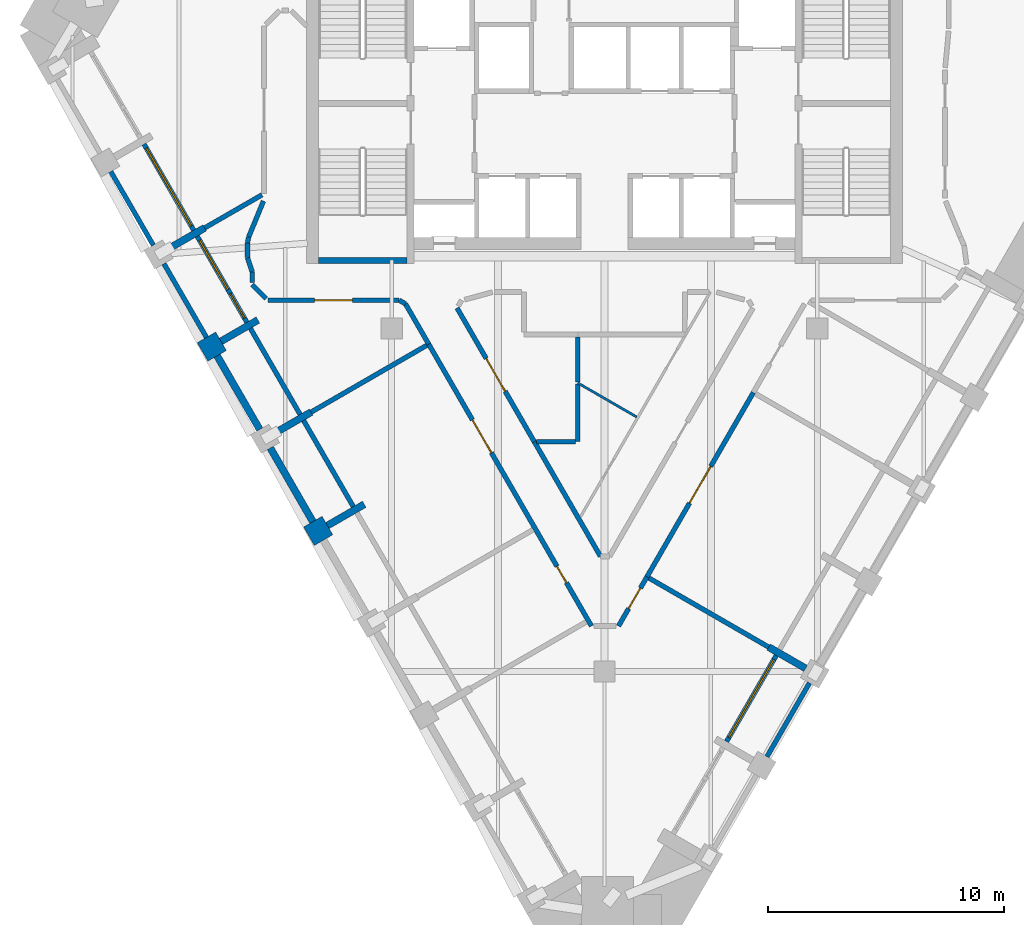
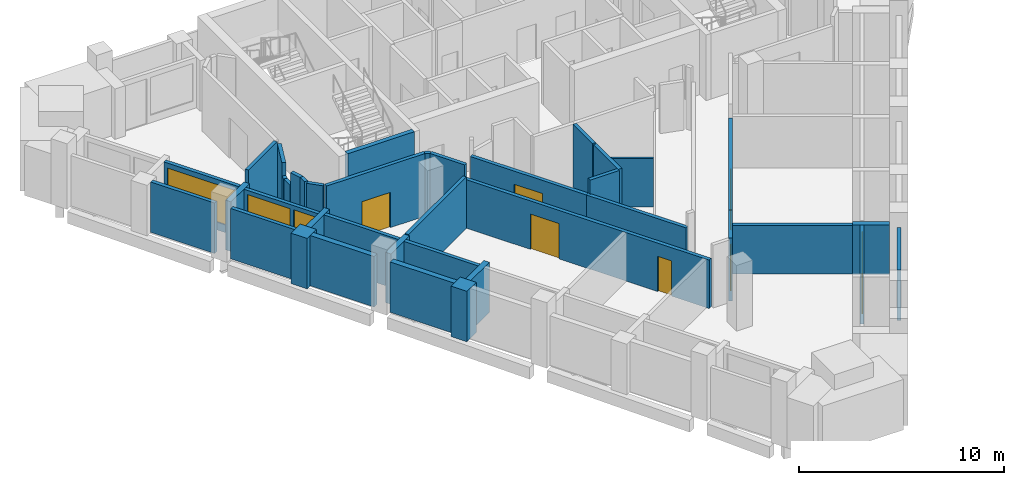
# One storey, part 3 of 8: 39 walls, 7 doors, 3 windows, 10 openings.
"""IFC4 building model written with IfcOpenShell, lengths in metres."""

from ifc_helpers import new_model, si_unit, direction, frame, frame_2d, origin, place, context, subcontext, project, spatial, rectangle, extrude, material, layer, layer_set, type_object, element, fill, save


model = new_model("IFC4")

# Units and contexts
model_context = context("Model", 3, precision=1e-05, world=origin(), true_north=direction((0.0, 1.0)))
body_context = subcontext(model_context, "Body", "Model", "MODEL_VIEW")
ifc_project = project(units=[si_unit("LENGTHUNIT", "METRE"), si_unit("AREAUNIT", "SQUARE_METRE"), si_unit("VOLUMEUNIT", "CUBIC_METRE"), si_unit("PLANEANGLEUNIT", "RADIAN"), si_unit("MASSUNIT", "GRAM", prefix="KILO")], contexts=[model_context])

# Site, building, storey
site_placement = place(None, origin())
site = spatial("IfcSite", under=ifc_project, at=site_placement, CompositionType="ELEMENT")
building_placement = place(site_placement, origin())
building = spatial("IfcBuilding", under=site, at=building_placement, Name="Calabash Gate Tower", CompositionType="ELEMENT")
storey_placement = place(building_placement, frame((0.0, 0.0, 267.699951171875)))
storey = spatial("IfcBuildingStorey", under=building, at=storey_placement, Name="L64", CompositionType="ELEMENT", Elevation=267.699951171875)

# Walls
ifc_material_1 = material(Name="Terracotta brick masonry, exposed face", Category="masonry")
ifc_layer_1 = layer(ifc_material_1, 0.89990234375)
ifc_layer_set_1 = layer_set([ifc_layer_1], Name="Brick end wall 900")
wall_type_1 = type_object("IfcWallType", Name="Brick end wall 900", PredefinedType="SOLIDWALL", material=ifc_layer_set_1)
for number, where, z_axis, x_axis, name in (
    (1, (-16.83447265625, 2.126953125, 0.0), (0.0, 0.0, 1.0), (0.499902469156, -0.866081705922, 0.0), "Brick pier S18 SW0.3"),
    (2, (-12.499267578125, -6.281982421875, 0.0), (0.0, 0.0, 1.0), (0.866081705922, 0.499902469156, 0.0), "Brick pier S18 SW0.5"),
):
    element("IfcWall", number, at=place(storey_placement, frame(where, z_axis=z_axis, x_axis=x_axis)), inside=storey, type_object=wall_type_1, Name=name, PredefinedType="SOLIDWALL", context=body_context, shape_type="SweptSolid", body=[
        extrude(rectangle(XDim=0.900146484375, YDim=0.89990234375, at=frame_2d((0.4501953125, 0.0))), origin(), (0.0, 0.0, 1.0), 3.0),
    ])
ifc_material_2 = material(Name="Terracotta brick masonry, exposed face", Category="masonry")
ifc_layer_2 = layer(ifc_material_2, 0.300048828125)
ifc_layer_set_2 = layer_set([ifc_layer_2], Name="Brick infill panel wall 300")
wall_type_2 = type_object("IfcWallType", Name="Brick infill panel wall 300", PredefinedType="SOLIDWALL", material=ifc_layer_set_2)
for number, where, z_axis, x_axis, name in (
    (3, (-16.384521484375, 1.347412109375, 0.0), (0.0, 0.0, 1.0), (0.500012057535, -0.866018442252, 0.0), "Brick panel S18 SW0.4"),
    (4, (-14.134521484375, -2.549560546875, 0.0), (0.0, 0.0, 1.0), (0.500012057535, -0.866018442252, 0.0), "Brick panel S18 SW0.5"),
):
    element("IfcWall", number, at=place(storey_placement, frame(where, z_axis=z_axis, x_axis=x_axis)), inside=storey, type_object=wall_type_2, Name=name, PredefinedType="SOLIDWALL", context=body_context, shape_type="SweptSolid", body=[
        extrude(rectangle(XDim=3.60009765625, YDim=0.300048828125, at=frame_2d((1.800048828125, 0.0))), origin(), (0.0, 0.0, 1.0), 3.0),
    ])
ifc_material_3 = material(Name="Terracotta brick masonry, exposed face", Category="masonry")
ifc_layer_3 = layer(ifc_material_3, 0.300048828125)
ifc_layer_set_3 = layer_set([ifc_layer_3], Name="Brick loggia cheek wall 300")
wall_type_3 = type_object("IfcWallType", Name="Brick loggia cheek wall 300", PredefinedType="SOLIDWALL", material=ifc_layer_set_3)
wall_1_placement = place(storey_placement, frame((-16.910888671875, 6.75927734375, 0.0), z_axis=(0.0, 0.0, 1.0), x_axis=(-0.866047807691, -0.499961193289, 0.0)))
element("IfcWall", 5, at=wall_1_placement, inside=storey, type_object=wall_type_3, Name="Loggia cheek S18 SW0.2", PredefinedType="SOLIDWALL", context=body_context, shape_type="SweptSolid", body=[
    extrude(rectangle(XDim=1.800048828125, YDim=0.300048828125, at=frame_2d((0.89990234375, 0.0))), origin(), (0.0, 0.0, 1.0), 2.9501953125),
])
for number, where, z_axis, x_axis, name in (
    (6, (-16.2197265625, 1.962158203125, 0.0), (0.0, 0.0, 1.0), (0.865989075817, 0.500062916607, 0.0), "Loggia cheek S18 SW0.3"),
    (7, (-12.410888671875, -1.034912109375, 0.0), (0.0, 0.0, 1.0), (-0.866047807691, -0.499961193289, 0.0), "Loggia cheek S18 SW0.4"),
    (8, (-11.7197265625, -5.83203125, 0.0), (0.0, 0.0, 1.0), (0.865989075817, 0.500062916607, 0.0), "Loggia cheek S18 SW0.5"),
):
    element("IfcWall", number, at=place(storey_placement, frame(where, z_axis=z_axis, x_axis=x_axis)), inside=storey, type_object=wall_type_3, Name=name, PredefinedType="SOLIDWALL", context=body_context, shape_type="SweptSolid", body=[
        extrude(rectangle(XDim=1.800048828125, YDim=0.300048828125, at=frame_2d((0.89990234375, 0.0))), origin(), (0.0, 0.0, 1.0), 3.0),
    ])
wall_2_placement = place(storey_placement, frame((6.947998046875, -10.973388671875, 0.0), z_axis=(0.0, 0.0, 1.0), x_axis=(0.866038726271, -0.499976924066, 0.0)))
element("IfcWall", 9, at=wall_2_placement, inside=storey, type_object=wall_type_3, Name="Loggia cheek S18 SE2.2", PredefinedType="SOLIDWALL", context=body_context, shape_type="SweptSolid", body=[
    extrude(rectangle(XDim=1.79931640625, YDim=0.300048828125, at=frame_2d((0.899658203125, 0.0))), origin(), (0.0, 0.0, 1.0), 2.9501953125),
])
ifc_material_4 = material(Name="Concrete C60/75", Category="concrete")
ifc_layer_4 = layer(ifc_material_4, 0.25)
ifc_layer_set_4 = layer_set([ifc_layer_4], Name="Core wall 250 Concrete C60/75")
wall_type_4 = type_object("IfcWallType", Name="Core wall 250 Concrete C60/75", PredefinedType="SHEAR", material=ifc_layer_set_4)
wall_3_placement = place(storey_placement, frame((-12.10009765625, 5.377685546875, 0.0), z_axis=(0.0, 0.0, 1.0), x_axis=(1.0, 0.0, 0.0)))
element("IfcWall", 10, at=wall_3_placement, inside=storey, type_object=wall_type_4, Name="Core wall Z5-SSW L64", PredefinedType="SHEAR", context=body_context, shape_type="SweptSolid", body=[
    extrude(rectangle(XDim=3.75, YDim=0.25, at=frame_2d((1.875, 0.0))), origin(), (0.0, 0.0, 1.0), 3.900146484375),
])
ifc_material_5 = material(Name="Gypsum board on steel studs, mineral wool", Category="steel")
ifc_layer_5 = layer(ifc_material_5, 0.10009765625)
ifc_layer_set_5 = layer_set([ifc_layer_5], Name="Partition 100 gypsum board")
wall_type_5 = type_object("IfcWallType", Name="Partition 100 gypsum board", PredefinedType="PARTITIONING", material=ifc_layer_set_5)
wall_4_placement = place(storey_placement, frame((-1.127685546875, 0.2001953125, 0.0), z_axis=(0.0, 0.0, 1.0), x_axis=(0.866037287897, -0.499979415547, 0.0)))
element("IfcWall", 11, at=wall_4_placement, inside=storey, type_object=wall_type_5, Name="Partition", PredefinedType="PARTITIONING", context=body_context, shape_type="SweptSolid", body=[
    extrude(rectangle(XDim=2.87841796875, YDim=0.10009765625, at=frame_2d((1.439208984375, 0.0))), origin(), (0.0, 0.0, 1.0), 2.884033203125),
])

# Wall, openings, doors
ifc_material_6 = material(Name="Gypsum board on steel studs, mineral wool", Category="steel")
ifc_layer_6 = layer(ifc_material_6, 0.199951171875)
ifc_layer_set_6 = layer_set([ifc_layer_6], Name="Partition 200 gypsum board EI 60")
wall_type_6 = type_object("IfcWallType", Name="Partition 200 gypsum board EI 60", PredefinedType="PARTITIONING", material=ifc_layer_set_6)
wall_5_placement = place(storey_placement, frame((-7.43310546875, 1.839111328125, 0.0), z_axis=(0.0, 0.0, 1.0), x_axis=(0.500005992518, -0.866021943975, 0.0)))
wall_5 = element("IfcWall", 12, at=wall_5_placement, inside=storey, type_object=wall_type_6, Name="Partition", PredefinedType="PARTITIONING", context=body_context, shape_type="SweptSolid", body=[
    extrude(rectangle(XDim=13.763916015625, YDim=0.199951171875, at=frame_2d((6.8818359375, 0.0))), origin(), (0.0, 0.0, 1.0), 2.884033203125),
])
opening_1_placement = place(wall_5_placement, frame((3.699951171875, 0.0, 0.0)))
opening_1 = element("IfcOpeningElement", 13, at=opening_1_placement, cuts=wall_5, Name="Opening 62-64-001", PredefinedType="OPENING", context=body_context, shape_type="SweptSolid", body=[
    extrude(rectangle(XDim=1.60009765625, YDim=2.10009765625, at=frame_2d((0.800048828125, 1.050048828125))), frame((0.0, 0.10986328125, 0.0), z_axis=(0.0, -1.0, 0.0), x_axis=(1.0, 0.0, 0.0)), (0.0, 0.0, 1.0), 0.219970703125),
])
opening_2_placement = place(wall_5_placement, frame((10.85009765625, 0.0, 0.0)))
opening_2 = element("IfcOpeningElement", 14, at=opening_2_placement, cuts=wall_5, Name="Opening 62-64-002", PredefinedType="OPENING", context=body_context, shape_type="SweptSolid", body=[
    extrude(rectangle(XDim=0.800048828125, YDim=2.10009765625, at=frame_2d((0.39990234375, 1.050048828125))), frame((0.0, 0.10986328125, 0.0), z_axis=(0.0, -1.0, 0.0), x_axis=(1.0, 0.0, 0.0)), (0.0, 0.0, 1.0), 0.219970703125),
])
ifc_material_7 = material(Name="Steel fire door set with fire-resisting glazing", Category="steel")
door_type_1 = type_object("IfcDoorType", Name="LD1 Lounge double door 1600x2100", OperationType="NOTDEFINED", PredefinedType="DOOR", material=ifc_material_7)
door_1_placement = place(opening_1_placement, origin())
door_1 = element("IfcDoor", 15, at=door_1_placement, inside=storey, type_object=door_type_1, Name="Lounge double door", OperationType="DOUBLE_DOOR_SINGLE_SWING", OverallHeight=2.10009765625, OverallWidth=1.60009765625, PredefinedType="DOOR", context=body_context, shape_type="SweptSolid", body=[
    extrude(rectangle(XDim=1.60009765625, YDim=2.10009765625, at=frame_2d((0.800048828125, 1.050048828125))), frame((0.0, 0.02490234375, 0.0), z_axis=(0.0, -1.0, 0.0), x_axis=(1.0, 0.0, 0.0)), (0.0, 0.0, 1.0), 0.050048828125),
])
fill(opening_1, door_1)
ifc_material_8 = material(Name="Painted timber door", Category="wood")
door_type_2 = type_object("IfcDoorType", Name="OD4 Phone booth door 800x2100", OperationType="NOTDEFINED", PredefinedType="DOOR", material=ifc_material_8)
door_2_placement = place(opening_2_placement, origin())
door_2 = element("IfcDoor", 16, at=door_2_placement, inside=storey, type_object=door_type_2, Name="Phone booth door", OperationType="SINGLE_SWING_LEFT", OverallHeight=2.10009765625, OverallWidth=0.800048828125, PredefinedType="DOOR", context=body_context, shape_type="SweptSolid", body=[
    extrude(rectangle(XDim=0.800048828125, YDim=2.10009765625, at=frame_2d((0.39990234375, 1.050048828125))), frame((0.0, 0.02490234375, 0.0), z_axis=(0.0, -1.0, 0.0), x_axis=(1.0, 0.0, 0.0)), (0.0, 0.0, 1.0), 0.050048828125),
])
fill(opening_2, door_2)

# Wall, opening, door
wall_6_placement = place(storey_placement, frame((0.593994140625, -10.07958984375, 0.0), z_axis=(0.0, 0.0, 1.0), x_axis=(0.500575540498, 0.865692860231, 0.0)))
wall_6 = element("IfcWall", 17, at=wall_6_placement, inside=storey, type_object=wall_type_6, Name="Partition", PredefinedType="PARTITIONING", context=body_context, shape_type="SweptSolid", body=[
    extrude(rectangle(XDim=2.402587890625, YDim=0.199951171875, at=frame_2d((1.201171875, 0.0))), origin(), (0.0, 0.0, 1.0), 3.72998046875),
])
opening_3_placement = place(wall_6_placement, frame((0.8544921875, 0.0, 0.0)))
opening_3 = element("IfcOpeningElement", 18, at=opening_3_placement, cuts=wall_6, Name="Opening 62-64-011", PredefinedType="OPENING", context=body_context, shape_type="SweptSolid", body=[
    extrude(rectangle(XDim=1.0, YDim=2.10009765625, at=frame_2d((0.5, 1.050048828125))), frame((0.0, 0.10986328125, 0.0), z_axis=(0.0, -1.0, 0.0), x_axis=(1.0, 0.0, 0.0)), (0.0, 0.0, 1.0), 0.219970703125),
])
ifc_material_9 = material(Name="Steel fire door set with fire-resisting glazing", Category="steel")
door_type_3 = type_object("IfcDoorType", Name="LD2 Meeting room door 1000x2100", OperationType="NOTDEFINED", PredefinedType="DOOR", material=ifc_material_9)
door_3_placement = place(opening_3_placement, origin())
door_3 = element("IfcDoor", 19, at=door_3_placement, inside=storey, type_object=door_type_3, Name="Meeting room door", OperationType="SINGLE_SWING_RIGHT", OverallHeight=2.10009765625, OverallWidth=1.0, PredefinedType="DOOR", context=body_context, shape_type="SweptSolid", body=[
    extrude(rectangle(XDim=1.0, YDim=2.10009765625, at=frame_2d((0.5, 1.050048828125))), frame((0.0, 0.02490234375, 0.0), z_axis=(0.0, -1.0, 0.0), x_axis=(1.0, 0.0, 0.0)), (0.0, 0.0, 1.0), 0.050048828125),
])
fill(opening_3, door_3)

# Walls
wall_7_placement = place(storey_placement, frame((1.881103515625, -8.05029296875, 0.0), z_axis=(0.0, 0.0, 1.0), x_axis=(0.86614736797, -0.499788692307, 0.0)))
element("IfcWall", 20, at=wall_7_placement, inside=storey, type_object=wall_type_6, Name="Partition", PredefinedType="PARTITIONING", context=body_context, shape_type="SweptSolid", body=[
    extrude(rectangle(XDim=5.849609375, YDim=0.199951171875, at=frame_2d((2.9248046875, 0.0))), origin(), (0.0, 0.0, 1.0), 2.884033203125),
])
wall_8_placement = place(storey_placement, frame((-2.968017578125, -2.28662109375, 0.0), z_axis=(0.0, 0.0, 1.0), x_axis=(0.499996582779, -0.866027376709, 0.0)))
element("IfcWall", 21, at=wall_8_placement, inside=storey, type_object=wall_type_6, Name="Partition", PredefinedType="PARTITIONING", context=body_context, shape_type="SweptSolid", body=[
    extrude(rectangle(XDim=5.60205078125, YDim=0.199951171875, at=frame_2d((2.801025390625, 0.0))), origin(), (0.0, 0.0, 1.0), 2.884033203125),
])
wall_9_placement = place(storey_placement, frame((-2.867919921875, -2.286376953125, 0.0), z_axis=(0.0, 0.0, 1.0), x_axis=(0.999999601047, 0.000893255561, 0.0)))
element("IfcWall", 22, at=wall_9_placement, inside=storey, type_object=wall_type_6, Name="Partition", PredefinedType="PARTITIONING", context=body_context, shape_type="SweptSolid", body=[
    extrude(rectangle(XDim=1.639892578125, YDim=0.199951171875, at=frame_2d((0.81982421875, 0.0))), origin(), (0.0, 0.0, 1.0), 3.72998046875),
])
wall_10_placement = place(storey_placement, frame((-12.4111328125, -1.034423828125, 0.0), z_axis=(0.0, 0.0, 1.0), x_axis=(0.865901262238, 0.500214957848, 0.0)))
element("IfcWall", 23, at=wall_10_placement, inside=storey, type_object=wall_type_6, Name="Partition", PredefinedType="PARTITIONING", context=body_context, shape_type="SweptSolid", body=[
    extrude(rectangle(XDim=5.6494140625, YDim=0.199951171875, at=frame_2d((2.82470703125, 0.0))), origin(), (0.0, 0.0, 1.0), 3.052001953125),
])

# Wall, opening, door
wall_11_placement = place(storey_placement, frame((1.796875, -7.999267578125, 0.0), z_axis=(0.0, 0.0, 1.0), x_axis=(0.5000018851, 0.866024315419, 0.0)))
wall_11 = element("IfcWall", 24, at=wall_11_placement, inside=storey, type_object=wall_type_6, Name="Partition", PredefinedType="PARTITIONING", context=body_context, shape_type="SweptSolid", body=[
    extrude(rectangle(XDim=9.0, YDim=0.199951171875, at=frame_2d((4.5, 0.0))), origin(), (0.0, 0.0, 1.0), 2.884033203125),
])
opening_4_placement = place(wall_11_placement, frame((3.60009765625, 0.0, 0.0)))
opening_4 = element("IfcOpeningElement", 25, at=opening_4_placement, cuts=wall_11, Name="Opening 62-64-003", PredefinedType="OPENING", context=body_context, shape_type="SweptSolid", body=[
    extrude(rectangle(XDim=1.800048828125, YDim=2.39990234375, at=frame_2d((0.89990234375, 1.199951171875))), frame((0.0, 0.10986328125, 0.0), z_axis=(0.0, -1.0, 0.0), x_axis=(1.0, 0.0, 0.0)), (0.0, 0.0, 1.0), 0.219970703125),
])
ifc_material_10 = material(Name="Steel fire door set with fire-resisting glazing", Category="steel")
door_type_4 = type_object("IfcDoorType", Name="OD5 Open office double door 1800x2400", OperationType="NOTDEFINED", PredefinedType="DOOR", material=ifc_material_10)
door_4_placement = place(opening_4_placement, origin())
door_4 = element("IfcDoor", 26, at=door_4_placement, inside=storey, type_object=door_type_4, Name="Open office double door", OperationType="DOUBLE_DOOR_SINGLE_SWING", OverallHeight=2.39990234375, OverallWidth=1.800048828125, PredefinedType="DOOR", context=body_context, shape_type="SweptSolid", body=[
    extrude(rectangle(XDim=1.800048828125, YDim=2.39990234375, at=frame_2d((0.89990234375, 1.199951171875))), frame((0.0, 0.02490234375, 0.0), z_axis=(0.0, -1.0, 0.0), x_axis=(1.0, 0.0, 0.0)), (0.0, 0.0, 1.0), 0.050048828125),
])
fill(opening_4, door_4)

# Walls
wall_12_placement = place(storey_placement, frame((-1.1279296875, -2.28466796875, 0.0), z_axis=(0.0, 0.0, 1.0), x_axis=(0.000803212592, 0.999999677425, 0.0)))
element("IfcWall", 27, at=wall_12_placement, inside=storey, type_object=wall_type_6, Name="Partition", PredefinedType="PARTITIONING", context=body_context, shape_type="SweptSolid", body=[
    extrude(rectangle(XDim=2.431640625, YDim=0.199951171875, at=frame_2d((1.2158203125, 0.0))), origin(), (0.0, 0.0, 1.0), 3.72998046875),
])
wall_13_placement = place(storey_placement, frame((-8.4169921875, 3.54638671875, 0.0), z_axis=(0.0, 0.0, 1.0), x_axis=(0.499325430766, -0.866414516378, 0.0)))
element("IfcWall", 28, at=wall_13_placement, inside=storey, type_object=wall_type_6, Name="Partition", PredefinedType="PARTITIONING", context=body_context, shape_type="SweptSolid", body=[
    extrude(rectangle(XDim=1.969970703125, YDim=0.199951171875, at=frame_2d((0.98486328125, 0.0))), origin(), (0.0, 0.0, 1.0), 3.72998046875),
])
wall_14_placement = place(storey_placement, frame((-1.1259765625, 0.247314453125, 0.0), z_axis=(0.0, 0.0, 1.0), x_axis=(0.0, 1.0, 0.0)))
element("IfcWall", 29, at=wall_14_placement, inside=storey, type_object=wall_type_6, Name="Partition", PredefinedType="PARTITIONING", context=body_context, shape_type="SweptSolid", body=[
    extrude(rectangle(XDim=1.9033203125, YDim=0.199951171875, at=frame_2d((0.95166015625, 0.0))), origin(), (0.0, 0.0, 1.0), 3.72998046875),
])

# Wall, opening, door
wall_15_placement = place(storey_placement, frame((-6.23583984375, 3.3701171875, 0.0), z_axis=(0.0, 0.0, 1.0), x_axis=(0.500224030226, -0.865896021231, 0.0)))
wall_15 = element("IfcWall", 30, at=wall_15_placement, inside=storey, type_object=wall_type_6, Name="Partition", PredefinedType="PARTITIONING", context=body_context, shape_type="SweptSolid", body=[
    extrude(rectangle(XDim=6.5302734375, YDim=0.199951171875, at=frame_2d((3.26513671875, 0.0))), origin(), (0.0, 0.0, 1.0), 2.884033203125),
])
opening_5_placement = place(wall_15_placement, frame((2.466064453125, 0.0, 0.0)))
opening_5 = element("IfcOpeningElement", 31, at=opening_5_placement, cuts=wall_15, Name="Opening 62-64-005", PredefinedType="OPENING", context=body_context, shape_type="SweptSolid", body=[
    extrude(rectangle(XDim=1.60009765625, YDim=2.10009765625, at=frame_2d((0.800048828125, 1.050048828125))), frame((0.0, 0.10986328125, 0.0), z_axis=(0.0, -1.0, 0.0), x_axis=(1.0, 0.0, 0.0)), (0.0, 0.0, 1.0), 0.219970703125),
])
door_5_placement = place(opening_5_placement, origin())
door_5 = element("IfcDoor", 32, at=door_5_placement, inside=storey, type_object=door_type_1, Name="Lounge double door", OperationType="DOUBLE_DOOR_SINGLE_SWING", OverallHeight=2.10009765625, OverallWidth=1.60009765625, PredefinedType="DOOR", context=body_context, shape_type="SweptSolid", body=[
    extrude(rectangle(XDim=1.60009765625, YDim=2.10009765625, at=frame_2d((0.800048828125, 1.050048828125))), frame((0.0, 0.02490234375, 0.0), z_axis=(0.0, -1.0, 0.0), x_axis=(1.0, 0.0, 0.0)), (0.0, 0.0, 1.0), 0.050048828125),
])
fill(opening_5, door_5)

# Wall
wall_16_placement = place(storey_placement, frame((-8.68212890625, 3.699462890625, 0.0), z_axis=(0.0, 0.0, 1.0), x_axis=(0.866026229868, -0.499998569178, 0.0)))
element("IfcWall", 33, at=wall_16_placement, inside=storey, type_object=wall_type_6, Name="Partition", PredefinedType="PARTITIONING", context=body_context, shape_type="SweptSolid", body=[
    extrude(rectangle(XDim=0.30615234375, YDim=0.199951171875, at=frame_2d((0.153076171875, 0.0))), origin(), (0.0, 0.0, 1.0), 3.72998046875),
])

# Wall, opening, door
wall_17_placement = place(storey_placement, frame((-14.240234375, 3.69970703125, 0.0), z_axis=(0.0, 0.0, 1.0), x_axis=(0.999999999035, -4.3925151e-05, 0.0)))
wall_17 = element("IfcWall", 34, at=wall_17_placement, inside=storey, type_object=wall_type_6, Name="Partition", PredefinedType="PARTITIONING", context=body_context, shape_type="SweptSolid", body=[
    extrude(rectangle(XDim=5.55810546875, YDim=0.199951171875, at=frame_2d((2.779052734375, 0.0))), origin(), (0.0, 0.0, 1.0), 3.72998046875),
])
opening_6_placement = place(wall_17_placement, frame((1.979248046875, 0.0, 0.0)))
opening_6 = element("IfcOpeningElement", 35, at=opening_6_placement, cuts=wall_17, Name="Opening 62-64-007", PredefinedType="OPENING", context=body_context, shape_type="SweptSolid", body=[
    extrude(rectangle(XDim=1.60009765625, YDim=2.10009765625, at=frame_2d((0.800048828125, 1.050048828125))), frame((0.0, 0.10986328125, 0.0), z_axis=(0.0, -1.0, 0.0), x_axis=(1.0, 0.0, 0.0)), (0.0, 0.0, 1.0), 0.219970703125),
])
door_6_placement = place(opening_6_placement, origin())
door_6 = element("IfcDoor", 36, at=door_6_placement, inside=storey, type_object=door_type_1, Name="Lounge double door", OperationType="DOUBLE_DOOR_SINGLE_SWING", OverallHeight=2.10009765625, OverallWidth=1.60009765625, PredefinedType="DOOR", context=body_context, shape_type="SweptSolid", body=[
    extrude(rectangle(XDim=1.60009765625, YDim=2.10009765625, at=frame_2d((0.800048828125, 1.050048828125))), frame((0.0, 0.02490234375, 0.0), z_axis=(0.0, -1.0, 0.0), x_axis=(1.0, 0.0, 0.0)), (0.0, 0.0, 1.0), 0.050048828125),
])
fill(opening_6, door_6)

# Walls
wall_18_placement = place(storey_placement, frame((-14.900390625, 4.35986328125, 0.0), z_axis=(0.0, 0.0, 1.0), x_axis=(0.706960336792, -0.707253195258, 0.0)))
element("IfcWall", 37, at=wall_18_placement, inside=storey, type_object=wall_type_6, Name="Partition", PredefinedType="PARTITIONING", context=body_context, shape_type="SweptSolid", body=[
    extrude(rectangle(XDim=0.833740234375, YDim=0.199951171875, at=frame_2d((0.4169921875, 0.0))), origin(), (0.0, 0.0, 1.0), 3.72998046875),
])
wall_19_placement = place(storey_placement, frame((-14.900390625, 4.889404296875, 0.0), z_axis=(0.0, 0.0, 1.0), x_axis=(0.0, -1.0, 0.0)))
element("IfcWall", 38, at=wall_19_placement, inside=storey, type_object=wall_type_6, Name="Partition", PredefinedType="PARTITIONING", context=body_context, shape_type="SweptSolid", body=[
    extrude(rectangle(XDim=0.4296875, YDim=0.199951171875, at=frame_2d((0.21484375, 0.0))), origin(), (0.0, 0.0, 1.0), 3.72998046875),
])
wall_20_placement = place(storey_placement, frame((-15.1005859375, 5.49951171875, 0.0), z_axis=(0.0, 0.0, 1.0), x_axis=(0.311775781287, -0.950155704189, 0.0)))
element("IfcWall", 39, at=wall_20_placement, inside=storey, type_object=wall_type_6, Name="Partition", PredefinedType="PARTITIONING", context=body_context, shape_type="SweptSolid", body=[
    extrude(rectangle(XDim=0.64208984375, YDim=0.199951171875, at=frame_2d((0.321044921875, 0.0))), origin(), (0.0, 0.0, 1.0), 3.72998046875),
])
wall_21_placement = place(storey_placement, frame((-15.1005859375, 5.49951171875, 0.0), z_axis=(0.0, 0.0, 1.0), x_axis=(0.0, 1.0, 0.0)))
element("IfcWall", 40, at=wall_21_placement, inside=storey, type_object=wall_type_6, Name="Partition", PredefinedType="PARTITIONING", context=body_context, shape_type="SweptSolid", body=[
    extrude(rectangle(XDim=0.62255859375, YDim=0.199951171875, at=frame_2d((0.311279296875, 0.0))), origin(), (0.0, 0.0, 1.0), 2.9501953125),
])
wall_22_placement = place(storey_placement, frame((-15.1005859375, 6.1220703125, 0.0), z_axis=(0.0, 0.0, 1.0), x_axis=(0.194465976514, 0.980909263887, 0.0)))
element("IfcWall", 41, at=wall_22_placement, inside=storey, type_object=wall_type_6, Name="Partition", PredefinedType="PARTITIONING", context=body_context, shape_type="SweptSolid", body=[
    extrude(rectangle(XDim=0.256103515625, YDim=0.199951171875, at=frame_2d((0.1279296875, 0.0))), origin(), (0.0, 0.0, 1.0), 2.9501953125),
])
wall_23_placement = place(storey_placement, frame((-15.05078125, 6.373291015625, 0.0), z_axis=(0.0, 0.0, 1.0), x_axis=(0.380772221762, 0.92466886783, 0.0)))
element("IfcWall", 42, at=wall_23_placement, inside=storey, type_object=wall_type_6, Name="Partition", PredefinedType="PARTITIONING", context=body_context, shape_type="SweptSolid", body=[
    extrude(rectangle(XDim=1.643310546875, YDim=0.199951171875, at=frame_2d((0.82177734375, 0.0))), origin(), (0.0, 0.0, 1.0), 3.72998046875),
])
wall_24_placement = place(storey_placement, frame((-16.910888671875, 6.75927734375, 0.0), z_axis=(0.0, 0.0, 1.0), x_axis=(0.866362772616, 0.499415204239, 0.0)))
element("IfcWall", 43, at=wall_24_placement, inside=storey, type_object=wall_type_6, Name="Partition", PredefinedType="PARTITIONING", context=body_context, shape_type="SweptSolid", body=[
    extrude(rectangle(XDim=2.797607421875, YDim=0.199951171875, at=frame_2d((1.39892578125, 0.0))), origin(), (0.0, 0.0, 1.0), 3.72998046875),
])
ifc_material_11 = material(Name="Terracotta brick masonry, perforated", Category="masonry")
ifc_layer_7 = layer(ifc_material_11, 0.199951171875)
ifc_layer_set_7 = layer_set([ifc_layer_7], Name="Terracotta jaali screen B")
wall_type_7 = type_object("IfcWallType", Name="Terracotta jaali screen B", PredefinedType="SOLIDWALL", material=ifc_layer_set_7)
for number, where, z_axis, x_axis, name in (
    (44, (-20.884521484375, 9.141845703125, 0.0), (0.0, 0.0, 1.0), (0.500012057535, -0.866018442252, 0.0), "SCREEN B S18 SW0.2"),
    (45, (-18.634521484375, 5.24462890625, 0.0), (0.0, 0.0, 1.0), (0.500012057535, -0.866018442252, 0.0), "SCREEN B S18 SW0.3"),
):
    element("IfcWall", number, at=place(storey_placement, frame(where, z_axis=z_axis, x_axis=x_axis)), inside=storey, type_object=wall_type_7, Name=name, PredefinedType="SOLIDWALL", context=body_context, shape_type="SweptSolid", body=[
        extrude(rectangle(XDim=3.60009765625, YDim=0.199951171875, at=frame_2d((1.800048828125, 0.0))), origin(), (0.0, 0.0, 1.0), 3.0),
    ])
wall_25_placement = place(storey_placement, frame((6.87158203125, -15.605712890625, 0.0), z_axis=(0.0, 0.0, 1.0), x_axis=(0.499961193289, 0.866047807691, 0.0)))
element("IfcWall", 46, at=wall_25_placement, inside=storey, type_object=wall_type_7, Name="SCREEN B S18 SE2.2", PredefinedType="SOLIDWALL", context=body_context, shape_type="SweptSolid", body=[
    extrude(rectangle(XDim=3.599853515625, YDim=0.199951171875, at=frame_2d((1.7998046875, 0.0))), origin(), (0.0, 0.0, 1.0), 3.0),
])

# Wall, opening, window
ifc_material_12 = material(Name="Aluminium framed window wall with insulated spandrel", Category="aluminium")
ifc_layer_8 = layer(ifc_material_12, 0.199951171875)
ifc_layer_set_8 = layer_set([ifc_layer_8], Name="Window wall 200")
wall_type_8 = type_object("IfcWallType", Name="Window wall 200", PredefinedType="ELEMENTEDWALL", material=ifc_layer_set_8)
wall_26_placement = place(storey_placement, frame((-19.4755859375, 10.301513671875, 0.0), z_axis=(0.0, 0.0, 1.0), x_axis=(0.49998411664, -0.866034573852, 0.0)))
wall_26 = element("IfcWall", 47, at=wall_26_placement, inside=storey, type_object=wall_type_8, Name="Window wall S18 SW0.2", PredefinedType="ELEMENTEDWALL", context=body_context, shape_type="SweptSolid", body=[
    extrude(rectangle(XDim=4.199951171875, YDim=0.199951171875, at=frame_2d((2.10009765625, 0.0))), origin(), (0.0, 0.0, 1.0), 3.0),
])
opening_7_placement = place(wall_26_placement, frame((0.199951171875, 0.0, 0.449951171875)))
opening_7 = element("IfcOpeningElement", 48, at=opening_7_placement, cuts=wall_26, Name="Opening OW2", PredefinedType="OPENING", context=body_context, shape_type="SweptSolid", body=[
    extrude(rectangle(XDim=3.800048828125, YDim=2.25, at=frame_2d((1.89990234375, 1.125))), frame((0.0, 0.10986328125, 0.0), z_axis=(0.0, -1.0, 0.0), x_axis=(1.0, 0.0, 0.0)), (0.0, 0.0, 1.0), 0.219970703125),
])
ifc_material_13 = material(Name="Anodised aluminium frame, bronze finish, impact-rated laminated clear glazing", Category="aluminium")
window_type_1 = type_object("IfcWindowType", Name="Window OW2 3800x2250", PartitioningType="TRIPLE_PANEL_VERTICAL", PredefinedType="WINDOW", material=ifc_material_13)
window_1_placement = place(opening_7_placement, origin())
window_1 = element("IfcWindow", 49, at=window_1_placement, inside=storey, type_object=window_type_1, Name="Window OW2 S18 SW0.2", OverallHeight=2.25, OverallWidth=3.800048828125, PartitioningType="SINGLE_PANEL", PredefinedType="WINDOW", context=body_context, shape_type="SweptSolid", body=[
    extrude(rectangle(XDim=3.800048828125, YDim=2.25, at=frame_2d((1.89990234375, 1.125))), frame((0.0, 0.030029296875, 0.0), z_axis=(0.0, -1.0, 0.0), x_axis=(1.0, 0.0, 0.0)), (0.0, 0.0, 1.0), 0.06005859375),
])
fill(opening_7, window_1)

# Wall, openings, door, window
wall_27_placement = place(storey_placement, frame((-17.2255859375, 6.404541015625, 0.0), z_axis=(0.0, 0.0, 1.0), x_axis=(0.499958946799, -0.866049104564, 0.0)))
wall_27 = element("IfcWall", 50, at=wall_27_placement, inside=storey, type_object=wall_type_8, Name="Window wall S18 SW0.3", PredefinedType="ELEMENTEDWALL", context=body_context, shape_type="SweptSolid", body=[
    extrude(rectangle(XDim=4.199951171875, YDim=0.199951171875, at=frame_2d((2.10009765625, 0.0))), origin(), (0.0, 0.0, 1.0), 2.9501953125),
])
opening_8_placement = place(wall_27_placement, frame((0.199951171875, 0.0, 0.449951171875)))
opening_8 = element("IfcOpeningElement", 51, at=opening_8_placement, cuts=wall_27, Name="Opening OW1", PredefinedType="OPENING", context=body_context, shape_type="SweptSolid", body=[
    extrude(rectangle(XDim=2.39990234375, YDim=2.25, at=frame_2d((1.199951171875, 1.125))), frame((0.0, 0.10986328125, 0.0), z_axis=(0.0, -1.0, 0.0), x_axis=(1.0, 0.0, 0.0)), (0.0, 0.0, 1.0), 0.219970703125),
])
opening_9_placement = place(wall_27_placement, frame((2.800048828125, 0.0, 0.0)))
opening_9 = element("IfcOpeningElement", 52, at=opening_9_placement, cuts=wall_27, Name="Opening O10-016", PredefinedType="OPENING", context=body_context, shape_type="SweptSolid", body=[
    extrude(rectangle(XDim=1.199951171875, YDim=2.699951171875, at=frame_2d((0.60009765625, 1.35009765625))), frame((0.0, 0.10986328125, 0.0), z_axis=(0.0, -1.0, 0.0), x_axis=(1.0, 0.0, 0.0)), (0.0, 0.0, 1.0), 0.219970703125),
])
ifc_material_14 = material(Name="Anodised aluminium frame, bronze finish, impact-rated laminated clear glazing", Category="aluminium")
door_type_5 = type_object("IfcDoorType", Name="Loggia door DO1 1200x2700", OperationType="SLIDING_TO_LEFT", PredefinedType="DOOR", material=ifc_material_14)
door_7_placement = place(opening_9_placement, origin())
door_7 = element("IfcDoor", 53, at=door_7_placement, inside=storey, type_object=door_type_5, Name="Loggia door S18 SW0.3", OperationType="SINGLE_SWING_LEFT", OverallHeight=2.699951171875, OverallWidth=1.199951171875, PredefinedType="DOOR", context=body_context, shape_type="SweptSolid", body=[
    extrude(rectangle(XDim=1.199951171875, YDim=2.699951171875, at=frame_2d((0.60009765625, 1.35009765625))), frame((0.0, 0.02490234375, 0.0), z_axis=(0.0, -1.0, 0.0), x_axis=(1.0, 0.0, 0.0)), (0.0, 0.0, 1.0), 0.050048828125),
])
fill(opening_9, door_7)
ifc_material_15 = material(Name="Anodised aluminium frame, bronze finish, impact-rated laminated clear glazing", Category="aluminium")
window_type_2 = type_object("IfcWindowType", Name="Window OW1 2400x2250", PartitioningType="DOUBLE_PANEL_VERTICAL", PredefinedType="WINDOW", material=ifc_material_15)
window_2_placement = place(opening_8_placement, origin())
window_2 = element("IfcWindow", 54, at=window_2_placement, inside=storey, type_object=window_type_2, Name="Window OW1 S18 SW0.3", OverallHeight=2.25, OverallWidth=2.39990234375, PartitioningType="SINGLE_PANEL", PredefinedType="WINDOW", context=body_context, shape_type="SweptSolid", body=[
    extrude(rectangle(XDim=2.39990234375, YDim=2.25, at=frame_2d((1.199951171875, 1.125))), frame((0.0, 0.030029296875, 0.0), z_axis=(0.0, -1.0, 0.0), x_axis=(1.0, 0.0, 0.0)), (0.0, 0.0, 1.0), 0.06005859375),
])
fill(opening_8, window_2)

# Walls
for number, where, z_axis, x_axis, name in (
    (55, (-14.9755859375, 2.50732421875, 0.0), (0.0, 0.0, 1.0), (0.49998411664, -0.866034573852, 0.0), "Window wall S18 SW0.4"),
    (56, (-12.7255859375, -1.389892578125, 0.0), (0.0, 0.0, 1.0), (0.49998411664, -0.866034573852, 0.0), "Window wall S18 SW0.5"),
):
    element("IfcWall", number, at=place(storey_placement, frame(where, z_axis=z_axis, x_axis=x_axis)), inside=storey, type_object=wall_type_8, Name=name, PredefinedType="ELEMENTEDWALL", context=body_context, shape_type="SweptSolid", body=[
        extrude(rectangle(XDim=4.199951171875, YDim=0.199951171875, at=frame_2d((2.10009765625, 0.0))), origin(), (0.0, 0.0, 1.0), 3.0),
    ])

# Wall, opening, window
wall_28_placement = place(storey_placement, frame((5.16259765625, -14.965576171875, 0.0), z_axis=(0.0, 0.0, 1.0), x_axis=(0.500027713859, 0.866009402589, 0.0)))
wall_28 = element("IfcWall", 57, at=wall_28_placement, inside=storey, type_object=wall_type_8, Name="Window wall S18 SE2.2", PredefinedType="ELEMENTEDWALL", context=body_context, shape_type="SweptSolid", body=[
    extrude(rectangle(XDim=4.199951171875, YDim=0.199951171875, at=frame_2d((2.10009765625, 0.0))), origin(), (0.0, 0.0, 1.0), 2.9501953125),
])
opening_10_placement = place(wall_28_placement, frame((0.199951171875, 0.0, 0.449951171875)))
opening_10 = element("IfcOpeningElement", 58, at=opening_10_placement, cuts=wall_28, Name="Opening OW2", PredefinedType="OPENING", context=body_context, shape_type="SweptSolid", body=[
    extrude(rectangle(XDim=3.800048828125, YDim=2.25, at=frame_2d((1.89990234375, 1.125))), frame((0.0, 0.10986328125, 0.0), z_axis=(0.0, -1.0, 0.0), x_axis=(1.0, 0.0, 0.0)), (0.0, 0.0, 1.0), 0.219970703125),
])
window_3_placement = place(opening_10_placement, origin())
window_3 = element("IfcWindow", 59, at=window_3_placement, inside=storey, type_object=window_type_1, Name="Window OW2 S18 SE2.2", OverallHeight=2.25, OverallWidth=3.800048828125, PartitioningType="SINGLE_PANEL", PredefinedType="WINDOW", context=body_context, shape_type="SweptSolid", body=[
    extrude(rectangle(XDim=3.800048828125, YDim=2.25, at=frame_2d((1.89990234375, 1.125))), frame((0.0, 0.030029296875, 0.0), z_axis=(0.0, -1.0, 0.0), x_axis=(1.0, 0.0, 0.0)), (0.0, 0.0, 1.0), 0.06005859375),
])
fill(opening_10, window_3)

save(model, "model.ifc")
